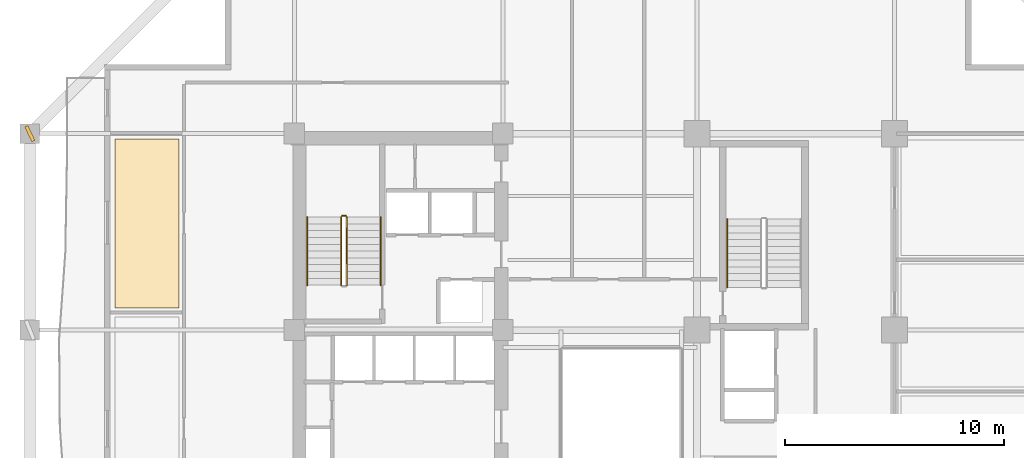
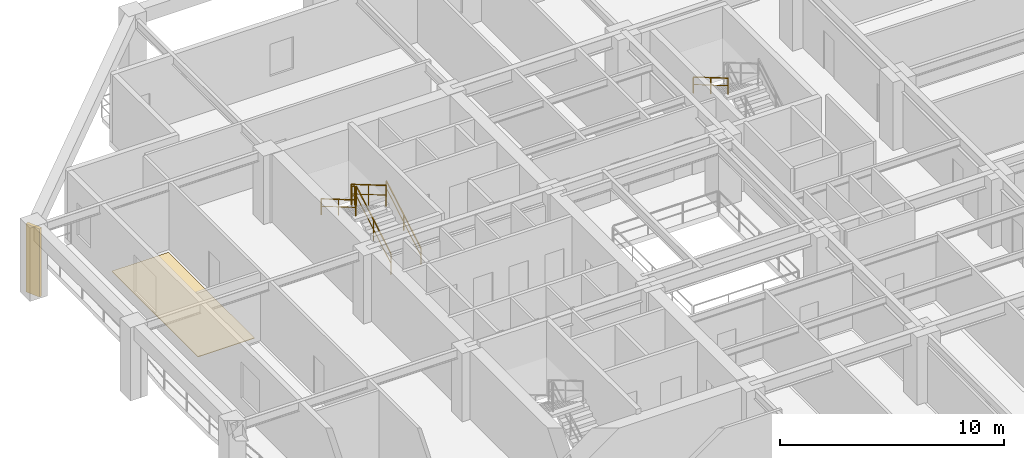
# One storey, part 11 of 13: 6 railings, 1 covering, 1 shading device.
"""IFC4 building model written with IfcOpenShell, lengths in metres."""

import ifcopenshell
import ifcopenshell.guid

model = None  # the IFC model being written
_history = None  # IfcOwnerHistory: only IFC2X3 demands one
_inside = {}  # id of a spatial element -> (the spatial element, [elements in it])
_under = {}  # id of a project, library or spatial element -> (it, [spatial elements below it])
_declared = {}  # id of a project -> (the project, [libraries it declares])
_typed = {}  # id of a type object -> (the type object, [elements of that type])
_made_of = {}  # id of a material, layer set ... -> (it, [elements and type objects made of it])


def new_model(schema):
    """Start an empty IFC model of exactly this schema.

    Asked for "IFC4X3", IfcOpenShell would pick the latest addendum, in which some entities
    have other attributes; the version numbers below select the first issue.
    IFC2X3 requires an IfcOwnerHistory on every rooted entity: one is made here for all.
    """
    global model, _history
    if schema == "IFC4X3":
        model = ifcopenshell.file(schema_version=(4, 3, 0, 0))
    else:
        model = ifcopenshell.file(schema=schema)
    _inside.clear()
    _under.clear()
    _declared.clear()
    _typed.clear()
    _made_of.clear()
    _history = None
    if model.schema == "IFC2X3":
        org = make("IfcOrganization", Name="unknown")
        user = make(
            "IfcPersonAndOrganization",
            ThePerson=make("IfcPerson", FamilyName="unknown"),
            TheOrganization=org,
        )
        app = make(
            "IfcApplication",
            ApplicationDeveloper=org,
            Version="unknown",
            ApplicationFullName="unknown",
            ApplicationIdentifier="unknown",
        )
        _history = make(
            "IfcOwnerHistory",
            OwningUser=user,
            OwningApplication=app,
            ChangeAction="ADDED",
            CreationDate=0,
        )
    return model


def make(cls, **values):
    """One entity of the class cls with the attributes given. An attribute that is None is left unset."""
    return model.create_entity(
        cls, **{name: value for name, value in values.items() if value is not None}
    )


def rooted(cls, **values):
    """An entity with a GlobalId (a new one), such as an element, a storey or a relation."""
    return make(cls, GlobalId=ifcopenshell.guid.new(), OwnerHistory=_history, **values)


def si_unit(unit_type, name, prefix=None):
    """IfcSIUnit, for example si_unit("LENGTHUNIT", "METRE", prefix="MILLI")."""
    return make("IfcSIUnit", UnitType=unit_type, Prefix=prefix, Name=name)


def assignment(units):
    """IfcUnitAssignment: the units of a project."""
    return None if units is None else make("IfcUnitAssignment", Units=units)


def point(xyz):
    """IfcCartesianPoint."""
    return None if xyz is None else make("IfcCartesianPoint", Coordinates=xyz)


def direction(xyz):
    """IfcDirection."""
    return None if xyz is None else make("IfcDirection", DirectionRatios=xyz)


def frame(location, z_axis=None, x_axis=None):
    """IfcAxis2Placement3D, a coordinate frame: its origin and axes. An axis left out is left unset."""
    return make(
        "IfcAxis2Placement3D",
        Location=point(location),
        Axis=direction(z_axis),
        RefDirection=direction(x_axis),
    )


def frame_2d(location, x_axis=None):
    """IfcAxis2Placement2D, a coordinate frame in the plane: its origin and x axis."""
    return make(
        "IfcAxis2Placement2D", Location=point(location), RefDirection=direction(x_axis)
    )


def origin():
    """The frame at (0, 0, 0) with its axes left unset."""
    return frame((0.0, 0.0, 0.0))


def origin_2d():
    """The frame at (0, 0) in the plane with its x axis left unset."""
    return frame_2d((0.0, 0.0))


def place(relative_to, where):
    """IfcLocalPlacement: puts the frame where relative to a parent placement (None: the world)."""
    return make(
        "IfcLocalPlacement", PlacementRelTo=relative_to, RelativePlacement=where
    )


def context(
    kind, dimensions, precision=None, world=None, true_north=None, identifier=None
):
    """IfcGeometricRepresentationContext, for example the 3D "Model" context."""
    return make(
        "IfcGeometricRepresentationContext",
        ContextIdentifier=identifier,
        ContextType=kind,
        CoordinateSpaceDimension=dimensions,
        Precision=precision,
        WorldCoordinateSystem=world,
        TrueNorth=true_north,
    )


def subcontext(parent, identifier, kind, view, scale=None):
    """IfcGeometricRepresentationSubContext, for example "Body" below "Model"."""
    return make(
        "IfcGeometricRepresentationSubContext",
        ContextIdentifier=identifier,
        ContextType=kind,
        ParentContext=parent,
        TargetScale=scale,
        TargetView=view,
    )


def project(units=None, contexts=None):
    """IfcProject with its units and contexts."""
    return rooted(
        "IfcProject",
        Name="project",
        RepresentationContexts=contexts,
        UnitsInContext=assignment(units),
    )


def spatial(cls, under=None, at=None, **own):
    """A site, building, storey or space (cls), placed at a placement, below another one or the project."""
    s = rooted(cls, ObjectPlacement=at, **own)
    if under is not None:
        _under.setdefault(under.id(), (under, []))[1].append(s)
    return s


def polyline(points):
    """IfcPolyline through the points."""
    return make("IfcPolyline", Points=[point(p) for p in points])


def profile(cls, at=None, kind="AREA", **sizes):
    """A parametric profile (cls). Its sizes go by their IFC names, for example OverallWidth=200.0."""
    return make(cls, ProfileType=kind, Position=at, **sizes)


def rectangle(**sizes):
    """IfcRectangleProfileDef."""
    return profile("IfcRectangleProfileDef", **sizes)


def outline(outer, holes=None, kind="AREA"):
    """IfcArbitraryClosedProfileDef: a profile drawn as a closed curve; with holes, ...WithVoids."""
    if holes is None:
        return make("IfcArbitraryClosedProfileDef", ProfileType=kind, OuterCurve=outer)
    return make(
        "IfcArbitraryProfileDefWithVoids",
        ProfileType=kind,
        OuterCurve=outer,
        InnerCurves=holes,
    )


def extrude(swept, where, along, depth):
    """IfcExtrudedAreaSolid: the profile swept, set in the frame where, extruded along a direction by depth."""
    return make(
        "IfcExtrudedAreaSolid",
        SweptArea=swept,
        Position=where,
        ExtrudedDirection=direction(along),
        Depth=depth,
    )


def shape(context_of_items, identifier, shape_type, items):
    """IfcShapeRepresentation: the items that make up one representation, for example the "Body"."""
    return make(
        "IfcShapeRepresentation",
        ContextOfItems=context_of_items,
        RepresentationIdentifier=identifier,
        RepresentationType=shape_type,
        Items=items,
    )


def material(Name=None, Category=None):
    """IfcMaterial."""
    return make("IfcMaterial", Name=Name, Category=Category)


def layer(
    of_material, thickness, ventilated=None, Name=None, Category=None, Priority=None
):
    """IfcMaterialLayer: one layer of a wall or slab, of a material (None: an air gap)."""
    return make(
        "IfcMaterialLayer",
        Material=of_material,
        LayerThickness=thickness,
        IsVentilated=ventilated,
        Name=Name,
        Category=Category,
        Priority=Priority,
    )


def layer_set(layers, Name=None):
    """IfcMaterialLayerSet."""
    return make("IfcMaterialLayerSet", MaterialLayers=layers, LayerSetName=Name)


def made_of(thing, what):
    """Note that an element or type object is made of a material, layer set ...; save() writes the relation."""
    if what is not None:
        _made_of.setdefault(what.id(), (what, []))[1].append(thing)
    return thing


def type_object(cls, material=None, **own):
    """A type object (cls), such as IfcWallType, which elements share."""
    return made_of(rooted(cls, **own), material)


def element(
    cls,
    number,
    at=None,
    inside=None,
    cuts=None,
    type_object=None,
    material=None,
    context=None,
    identifier="Body",
    shape_type=None,
    held_by="IfcProductDefinitionShape",
    body=None,
    shapes=None,
    **own,
):
    """One element of the class cls, such as IfcWall. Its Tag is "e" and its number.

    at: its placement. inside: the storey or other place that contains it. cuts: it is an
    opening in that element (IfcRelVoidsElement). A single representation is given by context,
    identifier, shape_type and body (its items); several are given by shapes. held_by: the class
    of the entity that holds the representations. save() writes the other relations.
    """
    e = rooted(cls, Tag="e%d" % number, ObjectPlacement=at, **own)
    if body is not None:
        shapes = [shape(context, identifier, shape_type, body)]
    if shapes is not None:
        e.Representation = make(held_by, Representations=shapes)
    if inside is not None:
        _inside.setdefault(inside.id(), (inside, []))[1].append(e)
    if cuts is not None:
        rooted(
            "IfcRelVoidsElement", RelatingBuildingElement=cuts, RelatedOpeningElement=e
        )
    if type_object is not None:
        _typed.setdefault(type_object.id(), (type_object, []))[1].append(e)
    return made_of(e, material)


def aggregate(whole, parts):
    """IfcRelAggregates: a whole, such as a stair, and the parts it consists of."""
    return rooted("IfcRelAggregates", RelatingObject=whole, RelatedObjects=parts)


def save(model, path):
    """Write the relations noted so far, then the file.

    IfcRelAggregates (storeys below a building ...), IfcRelContainedInSpatialStructure (elements
    in a storey), IfcRelDefinesByType, IfcRelAssociatesMaterial and IfcRelDeclares: one each for
    every whole, place, type object, material and project.
    """
    for whole, parts in _under.values():
        aggregate(whole, parts)
    for where, things in _inside.values():
        rooted(
            "IfcRelContainedInSpatialStructure",
            RelatedElements=things,
            RelatingStructure=where,
        )
    for kind, things in _typed.values():
        rooted("IfcRelDefinesByType", RelatedObjects=things, RelatingType=kind)
    for what, things in _made_of.values():
        rooted("IfcRelAssociatesMaterial", RelatedObjects=things, RelatingMaterial=what)
    for by, libraries in _declared.values():
        rooted("IfcRelDeclares", RelatingContext=by, RelatedDefinitions=libraries)
    model.write(path)


model = new_model("IFC4")

# Units and contexts
model_context = context("Model", 3, precision=1e-05, world=origin(), true_north=direction((0.0, 1.0)))
body_context = subcontext(model_context, "Body", "Model", "MODEL_VIEW")
ifc_project = project(units=[si_unit("LENGTHUNIT", "METRE"), si_unit("AREAUNIT", "SQUARE_METRE"), si_unit("VOLUMEUNIT", "CUBIC_METRE"), si_unit("PLANEANGLEUNIT", "RADIAN"), si_unit("MASSUNIT", "GRAM", prefix="KILO")], contexts=[model_context])

# Site, building, storey
site_placement = place(None, origin())
site = spatial("IfcSite", under=ifc_project, at=site_placement, CompositionType="ELEMENT")
building_placement = place(site_placement, origin())
building = spatial("IfcBuilding", under=site, at=building_placement, Name="Kundavana Baori Tower", CompositionType="ELEMENT")
storey_placement = place(building_placement, frame((0.0, 0.0, 50.0)))
storey = spatial("IfcBuildingStorey", under=building, at=storey_placement, Name="L11", CompositionType="ELEMENT", Elevation=50.0)

# Covering
ifc_material_1 = material(Name="Honed Kota Stone and Terrazzo Flooring", Category="masonry")
ifc_layer = layer(ifc_material_1, 0.030029296875, Name="COV-INT-FLR")
ifc_layer_set = layer_set([ifc_layer], Name="Honed Kota Stone and Terrazzo Flooring")
covering_type = type_object("IfcCoveringType", Name="COV-INT-FLR", PredefinedType="FLOORING", material=ifc_layer_set)
covering_placement = place(storey_placement, origin())
element("IfcCovering", 1, at=covering_placement, inside=storey, type_object=covering_type, Name="L11 Room Finished Stone Flooring 3", PredefinedType="FLOORING", context=body_context, shape_type="SweptSolid", body=[
    extrude(outline(polyline([(7.280029296875, 34.0), (10.199951171875, 34.0), (10.199951171875, 41.699951171875), (7.280029296875, 41.699951171875), (7.280029296875, 34.0)])), origin(), (0.0, 0.0, 1.0), 0.030029296875),
])

# Railings
ifc_material_2 = material(Name="Architectural Patinated Bronze Metalwork")
railing_type_1 = type_object("IfcRailingType", Name="RL-GRD-1150", PredefinedType="GUARDRAIL", material=ifc_material_2)
railing_1_placement = place(storey_placement, frame((17.840087890625, 35.050048828125, 0.181884765625)))
element("IfcRailing", 2, at=railing_1_placement, inside=storey, type_object=railing_type_1, Name="L11 ST2 stair guard 1", PredefinedType="GUARDRAIL", context=body_context, shape_type="SweptSolid", body=[
    extrude(rectangle(XDim=0.048095703125, YDim=0.048095703125, at=origin_2d()), frame((0.0, 0.0, 1.1259765625), z_axis=(0.0, 0.86258143422, 0.50591824373), x_axis=(-1.0, 0.0, 0.0)), (0.0, 0.0, 1.0), 3.59375),
    extrude(rectangle(XDim=0.03125, YDim=0.03125, at=origin_2d()), frame((0.0, 0.0, 0.597900390625), z_axis=(0.0, 0.86258143422, 0.50591824373), x_axis=(-1.0, 0.0, 0.0)), (0.0, 0.0, 1.0), 3.59375),
    extrude(rectangle(XDim=0.0419921875, YDim=0.0419921875, at=origin_2d()), origin(), (0.0, 0.0, 1.0), 1.101806640625),
    extrude(rectangle(XDim=0.0419921875, YDim=0.0419921875, at=origin_2d()), frame((0.0, 1.5498046875, 0.9091796875)), (0.0, 0.0, 1.0), 1.101806640625),
    extrude(rectangle(XDim=0.0419921875, YDim=0.0419921875, at=origin_2d()), frame((0.0, 3.099853515625, 1.818115234375)), (0.0, 0.0, 1.0), 1.101806640625),
])
railing_2_placement = place(storey_placement, frame((17.7900390625, 38.199951171875, 2.0)))
element("IfcRailing", 3, at=railing_2_placement, inside=storey, type_object=railing_type_1, Name="L11 ST2 stair guard 2", PredefinedType="GUARDRAIL", context=body_context, shape_type="SweptSolid", body=[
    extrude(rectangle(XDim=0.048095703125, YDim=0.048095703125, at=origin_2d()), frame((0.0, 0.0, 1.1259765625), z_axis=(-1.0, 0.0, 0.0), x_axis=(0.0, -1.0, 0.0)), (0.0, 0.0, 1.0), 0.16015625),
    extrude(rectangle(XDim=0.03125, YDim=0.03125, at=origin_2d()), frame((0.0, 0.0, 0.597900390625), z_axis=(-1.0, 0.0, 0.0), x_axis=(0.0, -1.0, 0.0)), (0.0, 0.0, 1.0), 0.16015625),
    extrude(rectangle(XDim=0.0419921875, YDim=0.0419921875, at=origin_2d()), origin(), (0.0, 0.0, 1.0), 1.101806640625),
    extrude(rectangle(XDim=0.0419921875, YDim=0.0419921875, at=origin_2d()), frame((-0.16015625, 0.0, 0.0)), (0.0, 0.0, 1.0), 1.101806640625),
])
railing_3_placement = place(storey_placement, frame((17.580078125, 38.14990234375, 2.181884765625)))
element("IfcRailing", 4, at=railing_3_placement, inside=storey, type_object=railing_type_1, Name="L11 ST2 stair guard 3", PredefinedType="GUARDRAIL", context=body_context, shape_type="SweptSolid", body=[
    extrude(rectangle(XDim=0.048095703125, YDim=0.048095703125, at=origin_2d()), frame((0.0, 0.0, 1.1259765625), z_axis=(0.0, -0.86258143422, 0.50591824373), x_axis=(1.0, 0.0, 0.0)), (0.0, 0.0, 1.0), 3.59375),
    extrude(rectangle(XDim=0.03125, YDim=0.03125, at=origin_2d()), frame((0.0, 0.0, 0.597900390625), z_axis=(0.0, -0.86258143422, 0.50591824373), x_axis=(1.0, 0.0, 0.0)), (0.0, 0.0, 1.0), 3.59375),
    extrude(rectangle(XDim=0.0419921875, YDim=0.0419921875, at=origin_2d()), origin(), (0.0, 0.0, 1.0), 1.101806640625),
    extrude(rectangle(XDim=0.0419921875, YDim=0.0419921875, at=origin_2d()), frame((0.0, -1.5498046875, 0.9091796875)), (0.0, 0.0, 1.0), 1.101806640625),
    extrude(rectangle(XDim=0.0419921875, YDim=0.0419921875, at=origin_2d()), frame((0.0, -3.099853515625, 1.818115234375)), (0.0, 0.0, 1.0), 1.101806640625),
])
ifc_material_3 = material(Name="Architectural Patinated Bronze Metalwork")
railing_type_2 = type_object("IfcRailingType", Name="RL-HND-920", PredefinedType="HANDRAIL", material=ifc_material_3)
railing_4_placement = place(storey_placement, frame((19.389892578125, 35.050048828125, 0.181884765625)))
element("IfcRailing", 5, at=railing_4_placement, inside=storey, type_object=railing_type_2, Name="L11 ST2 stair handrail 1", PredefinedType="HANDRAIL", context=body_context, shape_type="SweptSolid", body=[
    extrude(rectangle(XDim=0.048095703125, YDim=0.048095703125, at=origin_2d()), frame((0.0, 0.0, 0.8759765625), z_axis=(0.0, 0.86258143422, 0.50591824373), x_axis=(-1.0, 0.0, 0.0)), (0.0, 0.0, 1.0), 3.59375),
    extrude(rectangle(XDim=0.03125, YDim=0.03125, at=origin_2d()), frame((0.0, 0.0, 0.468017578125), z_axis=(0.0, 0.86258143422, 0.50591824373), x_axis=(-1.0, 0.0, 0.0)), (0.0, 0.0, 1.0), 3.59375),
    extrude(rectangle(XDim=0.0419921875, YDim=0.0419921875, at=origin_2d()), origin(), (0.0, 0.0, 1.0), 0.851806640625),
    extrude(rectangle(XDim=0.0419921875, YDim=0.0419921875, at=origin_2d()), frame((0.0, 1.5498046875, 0.9091796875)), (0.0, 0.0, 1.0), 0.851806640625),
    extrude(rectangle(XDim=0.0419921875, YDim=0.0419921875, at=origin_2d()), frame((0.0, 3.099853515625, 1.818115234375)), (0.0, 0.0, 1.0), 0.851806640625),
])
railing_5_placement = place(storey_placement, frame((16.030029296875, 38.14990234375, 2.181884765625)))
element("IfcRailing", 6, at=railing_5_placement, inside=storey, type_object=railing_type_2, Name="L11 ST2 stair handrail 2", PredefinedType="HANDRAIL", context=body_context, shape_type="SweptSolid", body=[
    extrude(rectangle(XDim=0.048095703125, YDim=0.048095703125, at=origin_2d()), frame((0.0, 0.0, 0.8759765625), z_axis=(0.0, -0.86258143422, 0.50591824373), x_axis=(1.0, 0.0, 0.0)), (0.0, 0.0, 1.0), 3.59375),
    extrude(rectangle(XDim=0.03125, YDim=0.03125, at=origin_2d()), frame((0.0, 0.0, 0.468017578125), z_axis=(0.0, -0.86258143422, 0.50591824373), x_axis=(1.0, 0.0, 0.0)), (0.0, 0.0, 1.0), 3.59375),
    extrude(rectangle(XDim=0.0419921875, YDim=0.0419921875, at=origin_2d()), origin(), (0.0, 0.0, 1.0), 0.851806640625),
    extrude(rectangle(XDim=0.0419921875, YDim=0.0419921875, at=origin_2d()), frame((0.0, -1.5498046875, 0.9091796875)), (0.0, 0.0, 1.0), 0.851806640625),
    extrude(rectangle(XDim=0.0419921875, YDim=0.0419921875, at=origin_2d()), frame((0.0, -3.099853515625, 1.818115234375)), (0.0, 0.0, 1.0), 0.851806640625),
])
railing_6_placement = place(storey_placement, frame((35.169921875, 38.050048828125, 2.181884765625)))
element("IfcRailing", 7, at=railing_6_placement, inside=storey, type_object=railing_type_2, Name="L11 ST3 stair handrail 2", PredefinedType="HANDRAIL", context=body_context, shape_type="SweptSolid", body=[
    extrude(rectangle(XDim=0.048095703125, YDim=0.048095703125, at=origin_2d()), frame((0.0, 0.0, 0.8759765625), z_axis=(0.0, -0.862598821094, 0.505888598258), x_axis=(1.0, 0.0, 0.0)), (0.0, 0.0, 1.0), 3.593994140625),
    extrude(rectangle(XDim=0.03125, YDim=0.03125, at=origin_2d()), frame((0.0, 0.0, 0.468017578125), z_axis=(0.0, -0.862598821094, 0.505888598258), x_axis=(1.0, 0.0, 0.0)), (0.0, 0.0, 1.0), 3.593994140625),
    extrude(rectangle(XDim=0.0419921875, YDim=0.0419921875, at=origin_2d()), origin(), (0.0, 0.0, 1.0), 0.851806640625),
    extrude(rectangle(XDim=0.0419921875, YDim=0.0419921875, at=origin_2d()), frame((0.0, -1.550048828125, 0.9091796875)), (0.0, 0.0, 1.0), 0.851806640625),
    extrude(rectangle(XDim=0.0419921875, YDim=0.0419921875, at=origin_2d()), frame((0.0, -3.10009765625, 1.818115234375)), (0.0, 0.0, 1.0), 0.851806640625),
])

# Shading device
ifc_material_4 = material(Name="Red-Buff Dholpur Sandstone Cladding on Concrete C40/50", Category="masonry")
shading_device_type = type_object("IfcShadingDeviceType", Name="SHD-FIN-750", PredefinedType="JALOUSIE", material=ifc_material_4)
shading_device_placement = place(storey_placement, frame((3.39990234375, 41.949951171875, 0.0), z_axis=(0.0, 0.0, 1.0), x_axis=(0.903110579136, 0.429408059837, 0.0)))
element("IfcShadingDevice", 8, at=shading_device_placement, inside=storey, type_object=shading_device_type, Name="L11 Sweeping Dholpur Sandstone Facade Fin 8", PredefinedType="JALOUSIE", context=body_context, shape_type="SweptSolid", body=[
    extrude(rectangle(XDim=0.159912109375, YDim=0.75, at=origin_2d()), origin(), (0.0, 0.0, 1.0), 3.719970703125),
])

save(model, "model.ifc")
